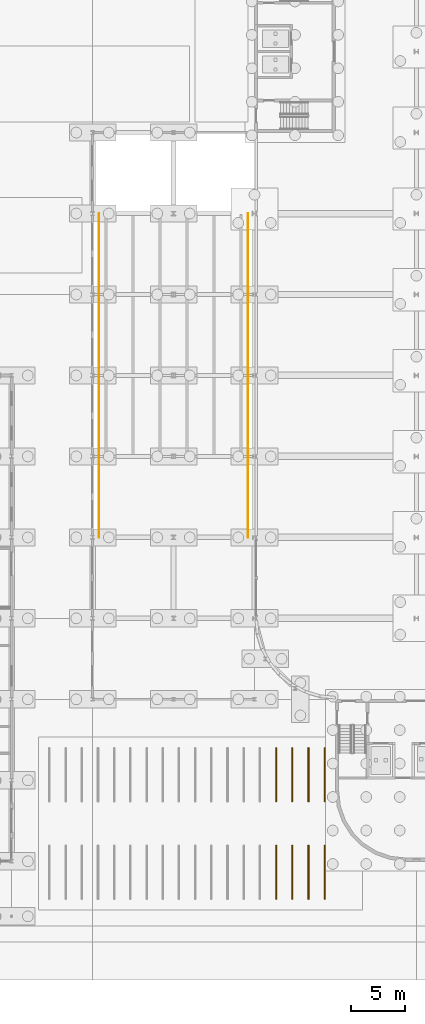
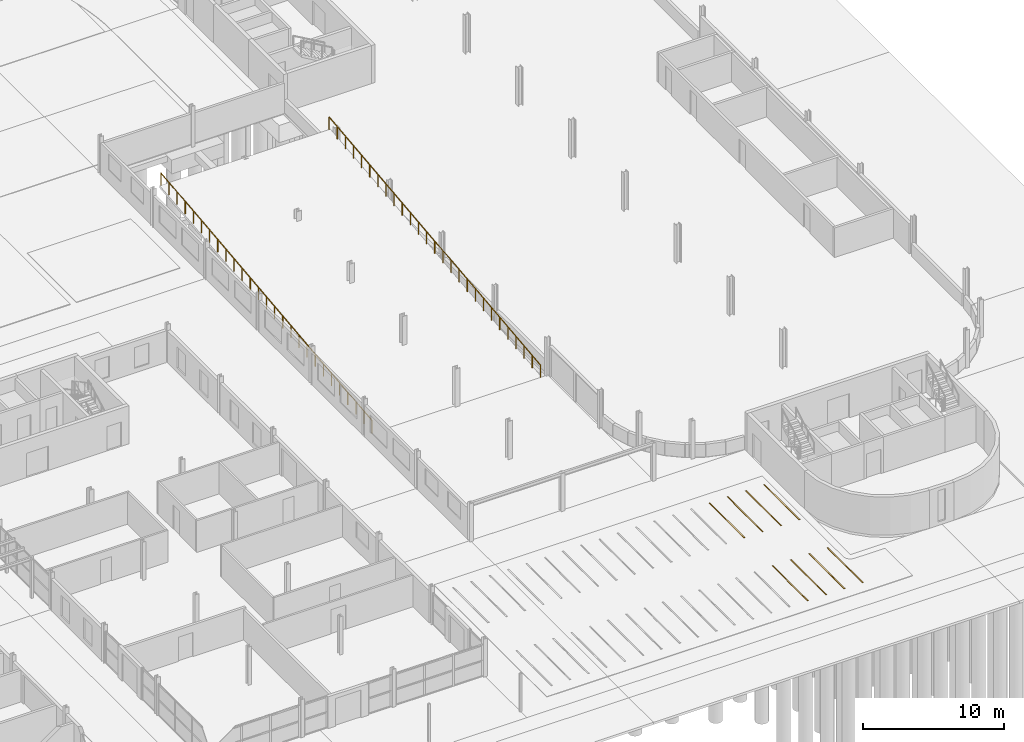
# One storey, part 119 of 130: 8 coverings, 2 railings.
"""IFC4 building model written with IfcOpenShell, lengths in metres."""

from ifc_helpers import new_model, si_unit, direction, frame, origin, origin_2d, place, context, subcontext, project, spatial, polyline, circle, outline, extrude, material, layer, layer_set, type_object, element, save


model = new_model("IFC4")

# Units and contexts
model_context = context("Model", 3, precision=1e-05, world=origin(), true_north=direction((0.0, 1.0)))
body_context = subcontext(model_context, "Body", "Model", "MODEL_VIEW")
ifc_project = project(units=[si_unit("LENGTHUNIT", "METRE"), si_unit("AREAUNIT", "SQUARE_METRE"), si_unit("VOLUMEUNIT", "CUBIC_METRE"), si_unit("PLANEANGLEUNIT", "RADIAN"), si_unit("MASSUNIT", "GRAM", prefix="KILO")], contexts=[model_context])

# Site, building, storey
site_placement = place(None, origin())
site = spatial("IfcSite", under=ifc_project, at=site_placement, CompositionType="ELEMENT")
building_placement = place(site_placement, origin())
building = spatial("IfcBuilding", under=site, at=building_placement, Name="Parallax Yard Mobility Hub", CompositionType="ELEMENT")
storey_placement = place(building_placement, origin())
storey = spatial("IfcBuildingStorey", under=building, at=storey_placement, Name="L00", CompositionType="ELEMENT", Elevation=0.0)

# Coverings
ifc_material_1 = material(Name="Thermoplastic road marking")
ifc_layer = layer(ifc_material_1, 0.0048828125)
ifc_layer_set = layer_set([ifc_layer], Name="Bay marking strip 5")
covering_type = type_object("IfcCoveringType", Name="Bay marking strip 5", PredefinedType="USERDEFINED", material=ifc_layer_set)
covering_1_placement = place(storey_placement, frame((0.0, 0.0, 0.0400390625)))
element("IfcCovering", 1, at=covering_1_placement, inside=storey, type_object=covering_type, Name="Cycle bay marking 15", ObjectType="ROAD MARKING", PredefinedType="USERDEFINED", context=body_context, shape_type="SweptSolid", body=[
    extrude(outline(polyline([(197.050048828125, 4.0), (197.050048828125, 9.0), (196.949951171875, 9.0), (196.949951171875, 4.0), (197.050048828125, 4.0)])), origin(), (0.0, 0.0, 1.0), 0.0048828125),
])
covering_2_placement = place(storey_placement, frame((0.0, 0.0, 0.0400390625)))
element("IfcCovering", 2, at=covering_2_placement, inside=storey, type_object=covering_type, Name="Cycle bay marking 16", ObjectType="ROAD MARKING", PredefinedType="USERDEFINED", context=body_context, shape_type="SweptSolid", body=[
    extrude(outline(polyline([(198.550048828125, 4.0), (198.550048828125, 9.0), (198.449951171875, 9.0), (198.449951171875, 4.0), (198.550048828125, 4.0)])), origin(), (0.0, 0.0, 1.0), 0.0048828125),
])
covering_3_placement = place(storey_placement, frame((0.0, 0.0, 0.0400390625)))
element("IfcCovering", 3, at=covering_3_placement, inside=storey, type_object=covering_type, Name="Cycle bay marking 17", ObjectType="ROAD MARKING", PredefinedType="USERDEFINED", context=body_context, shape_type="SweptSolid", body=[
    extrude(outline(polyline([(200.050048828125, 4.0), (200.050048828125, 9.0), (199.949951171875, 9.0), (199.949951171875, 4.0), (200.050048828125, 4.0)])), origin(), (0.0, 0.0, 1.0), 0.0048828125),
])
covering_4_placement = place(storey_placement, frame((0.0, 0.0, 0.0400390625)))
element("IfcCovering", 4, at=covering_4_placement, inside=storey, type_object=covering_type, Name="Cycle bay marking 18", ObjectType="ROAD MARKING", PredefinedType="USERDEFINED", context=body_context, shape_type="SweptSolid", body=[
    extrude(outline(polyline([(201.550048828125, 4.0), (201.550048828125, 9.0), (201.449951171875, 9.0), (201.449951171875, 4.0), (201.550048828125, 4.0)])), origin(), (0.0, 0.0, 1.0), 0.0048828125),
])
covering_5_placement = place(storey_placement, frame((0.0, 0.0, 0.0400390625)))
element("IfcCovering", 5, at=covering_5_placement, inside=storey, type_object=covering_type, Name="Cycle bay marking 34", ObjectType="ROAD MARKING", PredefinedType="USERDEFINED", context=body_context, shape_type="SweptSolid", body=[
    extrude(outline(polyline([(197.050048828125, 13.0), (197.050048828125, 18.0), (196.949951171875, 18.0), (196.949951171875, 13.0), (197.050048828125, 13.0)])), origin(), (0.0, 0.0, 1.0), 0.0048828125),
])
covering_6_placement = place(storey_placement, frame((0.0, 0.0, 0.0400390625)))
element("IfcCovering", 6, at=covering_6_placement, inside=storey, type_object=covering_type, Name="Cycle bay marking 35", ObjectType="ROAD MARKING", PredefinedType="USERDEFINED", context=body_context, shape_type="SweptSolid", body=[
    extrude(outline(polyline([(198.550048828125, 13.0), (198.550048828125, 18.0), (198.449951171875, 18.0), (198.449951171875, 13.0), (198.550048828125, 13.0)])), origin(), (0.0, 0.0, 1.0), 0.0048828125),
])
covering_7_placement = place(storey_placement, frame((0.0, 0.0, 0.0400390625)))
element("IfcCovering", 7, at=covering_7_placement, inside=storey, type_object=covering_type, Name="Cycle bay marking 36", ObjectType="ROAD MARKING", PredefinedType="USERDEFINED", context=body_context, shape_type="SweptSolid", body=[
    extrude(outline(polyline([(200.050048828125, 13.0), (200.050048828125, 18.0), (199.949951171875, 18.0), (199.949951171875, 13.0), (200.050048828125, 13.0)])), origin(), (0.0, 0.0, 1.0), 0.0048828125),
])
covering_8_placement = place(storey_placement, frame((0.0, 0.0, 0.0400390625)))
element("IfcCovering", 8, at=covering_8_placement, inside=storey, type_object=covering_type, Name="Cycle bay marking 37", ObjectType="ROAD MARKING", PredefinedType="USERDEFINED", context=body_context, shape_type="SweptSolid", body=[
    extrude(outline(polyline([(201.550048828125, 13.0), (201.550048828125, 18.0), (201.449951171875, 18.0), (201.449951171875, 13.0), (201.550048828125, 13.0)])), origin(), (0.0, 0.0, 1.0), 0.0048828125),
])

# Railings
ifc_material_2 = material(Name="Steel ASTM A36", Category="steel")
railing_type = type_object("IfcRailingType", Name="Ramp guard 1100", PredefinedType="GUARDRAIL", material=ifc_material_2)
railing_1_placement = place(storey_placement, frame((180.60009765625, 37.5, 0.0)))
element("IfcRailing", 9, at=railing_1_placement, inside=storey, type_object=railing_type, Name="Ramp RP1 west guard", PredefinedType="GUARDRAIL", context=body_context, shape_type="SweptSolid", body=[
    extrude(circle(Radius=0.02392578125, at=origin_2d()), frame((0.0, 0.0, 1.076171875), z_axis=(0.0, 0.994004180099, 0.109342077656), x_axis=(-1.0, 0.0, 0.0)), (0.0, 0.0, 1.0), 30.180908203125),
    extrude(circle(Radius=0.02099609375, at=origin_2d()), origin(), (0.0, 0.0, 1.0), 1.052001953125),
    extrude(circle(Radius=0.02099609375, at=origin_2d()), frame((0.0, 1.15380859375, 0.126953125)), (0.0, 0.0, 1.0), 1.052001953125),
    extrude(circle(Radius=0.02099609375, at=origin_2d()), frame((0.0, 2.3076171875, 0.25390625)), (0.0, 0.0, 1.0), 1.052001953125),
    extrude(circle(Radius=0.02099609375, at=origin_2d()), frame((0.0, 3.46142578125, 0.380859375)), (0.0, 0.0, 1.0), 1.052001953125),
    extrude(circle(Radius=0.02099609375, at=origin_2d()), frame((0.0, 4.615478515625, 0.5078125)), (0.0, 0.0, 1.0), 1.052001953125),
    extrude(circle(Radius=0.02099609375, at=origin_2d()), frame((0.0, 5.769287109375, 0.634521484375)), (0.0, 0.0, 1.0), 1.052001953125),
    extrude(circle(Radius=0.02099609375, at=origin_2d()), frame((0.0, 6.923095703125, 0.761474609375)), (0.0, 0.0, 1.0), 1.052001953125),
    extrude(circle(Radius=0.02099609375, at=origin_2d()), frame((0.0, 8.076904296875, 0.888427734375)), (0.0, 0.0, 1.0), 1.052001953125),
    extrude(circle(Radius=0.02099609375, at=origin_2d()), frame((0.0, 9.230712890625, 1.015380859375)), (0.0, 0.0, 1.0), 1.052001953125),
    extrude(circle(Radius=0.02099609375, at=origin_2d()), frame((0.0, 10.384521484375, 1.142333984375)), (0.0, 0.0, 1.0), 1.052001953125),
    extrude(circle(Radius=0.02099609375, at=origin_2d()), frame((0.0, 11.53857421875, 1.269287109375)), (0.0, 0.0, 1.0), 1.052001953125),
    extrude(circle(Radius=0.02099609375, at=origin_2d()), frame((0.0, 12.6923828125, 1.396240234375)), (0.0, 0.0, 1.0), 1.052001953125),
    extrude(circle(Radius=0.02099609375, at=origin_2d()), frame((0.0, 13.84619140625, 1.523193359375)), (0.0, 0.0, 1.0), 1.052001953125),
    extrude(circle(Radius=0.02099609375, at=origin_2d()), frame((0.0, 15.0, 1.64990234375)), (0.0, 0.0, 1.0), 1.052001953125),
    extrude(circle(Radius=0.02099609375, at=origin_2d()), frame((0.0, 16.15380859375, 1.77685546875)), (0.0, 0.0, 1.0), 1.052001953125),
    extrude(circle(Radius=0.02099609375, at=origin_2d()), frame((0.0, 17.3076171875, 1.90380859375)), (0.0, 0.0, 1.0), 1.052001953125),
    extrude(circle(Radius=0.02099609375, at=origin_2d()), frame((0.0, 18.46142578125, 2.03076171875)), (0.0, 0.0, 1.0), 1.052001953125),
    extrude(circle(Radius=0.02099609375, at=origin_2d()), frame((0.0, 19.615478515625, 2.15771484375)), (0.0, 0.0, 1.0), 1.052001953125),
    extrude(circle(Radius=0.02099609375, at=origin_2d()), frame((0.0, 20.769287109375, 2.28466796875)), (0.0, 0.0, 1.0), 1.052001953125),
    extrude(circle(Radius=0.02099609375, at=origin_2d()), frame((0.0, 21.923095703125, 2.41162109375)), (0.0, 0.0, 1.0), 1.052001953125),
    extrude(circle(Radius=0.02099609375, at=origin_2d()), frame((0.0, 23.076904296875, 2.53857421875)), (0.0, 0.0, 1.0), 1.052001953125),
    extrude(circle(Radius=0.02099609375, at=origin_2d()), frame((0.0, 24.230712890625, 2.66552734375)), (0.0, 0.0, 1.0), 1.052001953125),
    extrude(circle(Radius=0.02099609375, at=origin_2d()), frame((0.0, 25.384521484375, 2.792236328125)), (0.0, 0.0, 1.0), 1.052001953125),
    extrude(circle(Radius=0.02099609375, at=origin_2d()), frame((0.0, 26.53857421875, 2.919189453125)), (0.0, 0.0, 1.0), 1.052001953125),
    extrude(circle(Radius=0.02099609375, at=origin_2d()), frame((0.0, 27.6923828125, 3.046142578125)), (0.0, 0.0, 1.0), 1.052001953125),
    extrude(circle(Radius=0.02099609375, at=origin_2d()), frame((0.0, 28.84619140625, 3.173095703125)), (0.0, 0.0, 1.0), 1.052001953125),
    extrude(circle(Radius=0.02099609375, at=origin_2d()), frame((0.0, 30.0, 3.300048828125)), (0.0, 0.0, 1.0), 1.052001953125),
])
railing_2_placement = place(storey_placement, frame((194.39990234375, 37.5, 0.0)))
element("IfcRailing", 10, at=railing_2_placement, inside=storey, type_object=railing_type, Name="Ramp RP1 east guard", PredefinedType="GUARDRAIL", context=body_context, shape_type="SweptSolid", body=[
    extrude(circle(Radius=0.02392578125, at=origin_2d()), frame((0.0, 0.0, 1.076171875), z_axis=(0.0, 0.994004180099, 0.109342077656), x_axis=(-1.0, 0.0, 0.0)), (0.0, 0.0, 1.0), 30.180908203125),
    extrude(circle(Radius=0.02099609375, at=origin_2d()), origin(), (0.0, 0.0, 1.0), 1.052001953125),
    extrude(circle(Radius=0.02099609375, at=origin_2d()), frame((0.0, 1.15380859375, 0.126953125)), (0.0, 0.0, 1.0), 1.052001953125),
    extrude(circle(Radius=0.02099609375, at=origin_2d()), frame((0.0, 2.3076171875, 0.25390625)), (0.0, 0.0, 1.0), 1.052001953125),
    extrude(circle(Radius=0.02099609375, at=origin_2d()), frame((0.0, 3.46142578125, 0.380859375)), (0.0, 0.0, 1.0), 1.052001953125),
    extrude(circle(Radius=0.02099609375, at=origin_2d()), frame((0.0, 4.615478515625, 0.5078125)), (0.0, 0.0, 1.0), 1.052001953125),
    extrude(circle(Radius=0.02099609375, at=origin_2d()), frame((0.0, 5.769287109375, 0.634521484375)), (0.0, 0.0, 1.0), 1.052001953125),
    extrude(circle(Radius=0.02099609375, at=origin_2d()), frame((0.0, 6.923095703125, 0.761474609375)), (0.0, 0.0, 1.0), 1.052001953125),
    extrude(circle(Radius=0.02099609375, at=origin_2d()), frame((0.0, 8.076904296875, 0.888427734375)), (0.0, 0.0, 1.0), 1.052001953125),
    extrude(circle(Radius=0.02099609375, at=origin_2d()), frame((0.0, 9.230712890625, 1.015380859375)), (0.0, 0.0, 1.0), 1.052001953125),
    extrude(circle(Radius=0.02099609375, at=origin_2d()), frame((0.0, 10.384521484375, 1.142333984375)), (0.0, 0.0, 1.0), 1.052001953125),
    extrude(circle(Radius=0.02099609375, at=origin_2d()), frame((0.0, 11.53857421875, 1.269287109375)), (0.0, 0.0, 1.0), 1.052001953125),
    extrude(circle(Radius=0.02099609375, at=origin_2d()), frame((0.0, 12.6923828125, 1.396240234375)), (0.0, 0.0, 1.0), 1.052001953125),
    extrude(circle(Radius=0.02099609375, at=origin_2d()), frame((0.0, 13.84619140625, 1.523193359375)), (0.0, 0.0, 1.0), 1.052001953125),
    extrude(circle(Radius=0.02099609375, at=origin_2d()), frame((0.0, 15.0, 1.64990234375)), (0.0, 0.0, 1.0), 1.052001953125),
    extrude(circle(Radius=0.02099609375, at=origin_2d()), frame((0.0, 16.15380859375, 1.77685546875)), (0.0, 0.0, 1.0), 1.052001953125),
    extrude(circle(Radius=0.02099609375, at=origin_2d()), frame((0.0, 17.3076171875, 1.90380859375)), (0.0, 0.0, 1.0), 1.052001953125),
    extrude(circle(Radius=0.02099609375, at=origin_2d()), frame((0.0, 18.46142578125, 2.03076171875)), (0.0, 0.0, 1.0), 1.052001953125),
    extrude(circle(Radius=0.02099609375, at=origin_2d()), frame((0.0, 19.615478515625, 2.15771484375)), (0.0, 0.0, 1.0), 1.052001953125),
    extrude(circle(Radius=0.02099609375, at=origin_2d()), frame((0.0, 20.769287109375, 2.28466796875)), (0.0, 0.0, 1.0), 1.052001953125),
    extrude(circle(Radius=0.02099609375, at=origin_2d()), frame((0.0, 21.923095703125, 2.41162109375)), (0.0, 0.0, 1.0), 1.052001953125),
    extrude(circle(Radius=0.02099609375, at=origin_2d()), frame((0.0, 23.076904296875, 2.53857421875)), (0.0, 0.0, 1.0), 1.052001953125),
    extrude(circle(Radius=0.02099609375, at=origin_2d()), frame((0.0, 24.230712890625, 2.66552734375)), (0.0, 0.0, 1.0), 1.052001953125),
    extrude(circle(Radius=0.02099609375, at=origin_2d()), frame((0.0, 25.384521484375, 2.792236328125)), (0.0, 0.0, 1.0), 1.052001953125),
    extrude(circle(Radius=0.02099609375, at=origin_2d()), frame((0.0, 26.53857421875, 2.919189453125)), (0.0, 0.0, 1.0), 1.052001953125),
    extrude(circle(Radius=0.02099609375, at=origin_2d()), frame((0.0, 27.6923828125, 3.046142578125)), (0.0, 0.0, 1.0), 1.052001953125),
    extrude(circle(Radius=0.02099609375, at=origin_2d()), frame((0.0, 28.84619140625, 3.173095703125)), (0.0, 0.0, 1.0), 1.052001953125),
    extrude(circle(Radius=0.02099609375, at=origin_2d()), frame((0.0, 30.0, 3.300048828125)), (0.0, 0.0, 1.0), 1.052001953125),
])

save(model, "model.ifc")
